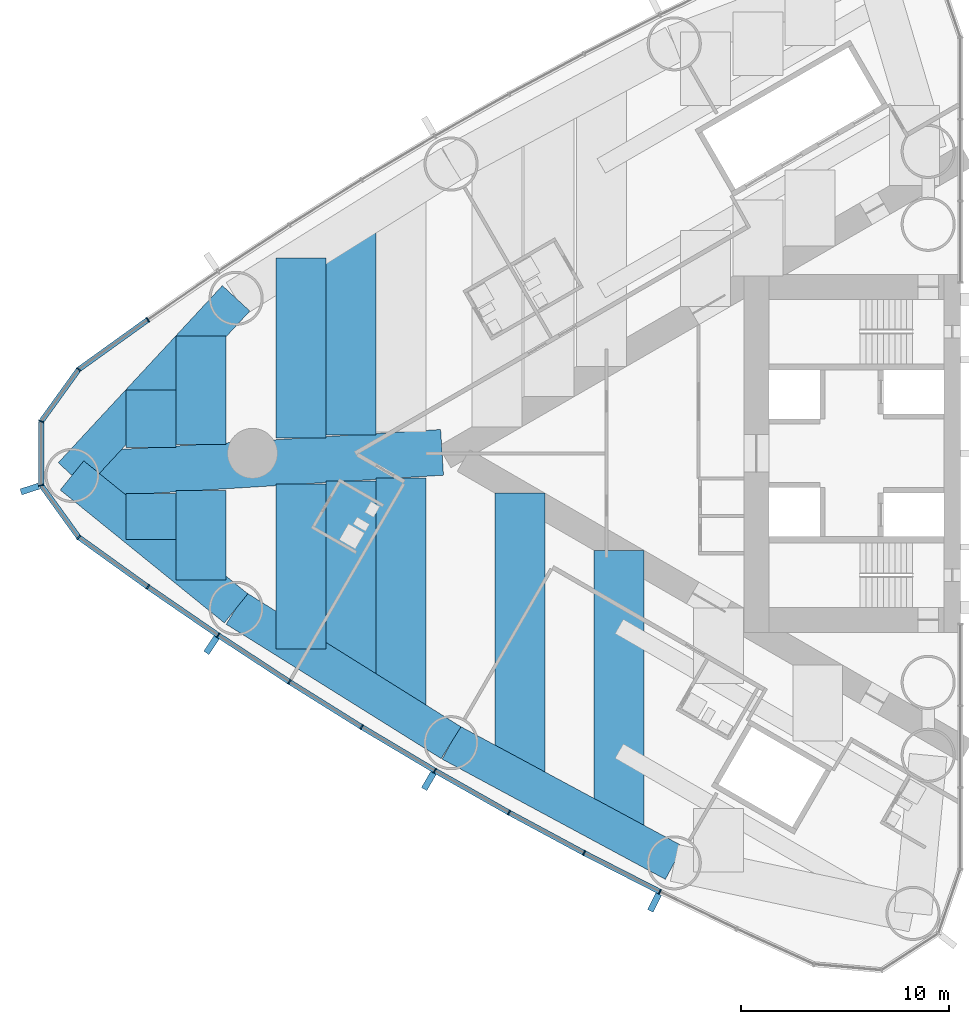
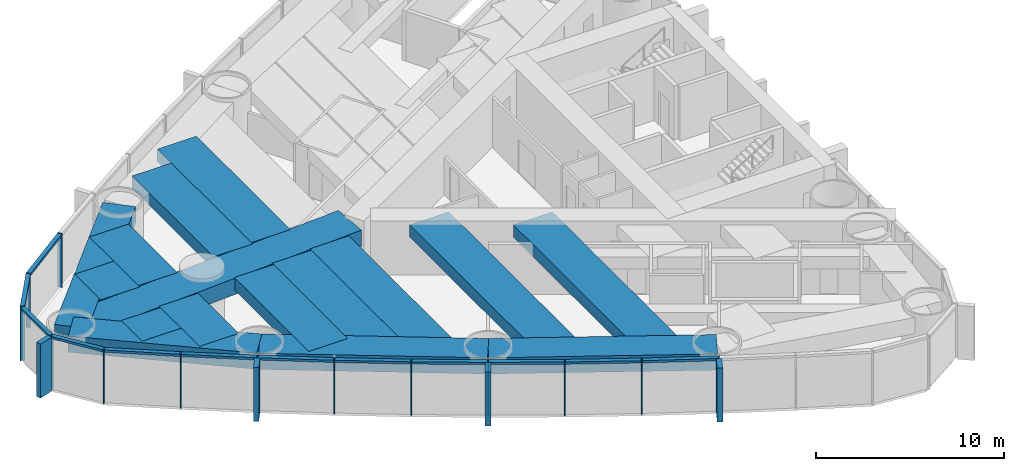
# One storey, part 2 of 18: 29 members, 16 beams, 1 element without a shape of its own.
"""IFC4 building model written with IfcOpenShell, lengths in metres."""

from ifc_helpers import new_model, si_unit, direction, frame, origin, origin_2d, place, context, subcontext, project, spatial, rectangle, extrude, material, material_profile, profile_set, type_object, element, aggregate, save


model = new_model("IFC4")

# Units and contexts
model_context = context("Model", 3, precision=1e-05, world=origin(), true_north=direction((0.0, 1.0)))
body_context = subcontext(model_context, "Body", "Model", "MODEL_VIEW")
ifc_project = project(units=[si_unit("LENGTHUNIT", "METRE"), si_unit("AREAUNIT", "SQUARE_METRE"), si_unit("VOLUMEUNIT", "CUBIC_METRE"), si_unit("PLANEANGLEUNIT", "RADIAN"), si_unit("MASSUNIT", "GRAM", prefix="KILO")], contexts=[model_context])

# Site, building, storey
site_placement = place(None, origin())
site = spatial("IfcSite", under=ifc_project, at=site_placement, CompositionType="ELEMENT")
building_placement = place(site_placement, origin())
building = spatial("IfcBuilding", under=site, at=building_placement, Name="Lancet Gate Hotel", CompositionType="ELEMENT")
storey_placement = place(building_placement, frame((0.0, 0.0, 115.10009765625)))
storey = spatial("IfcBuildingStorey", under=building, at=storey_placement, Name="L30", CompositionType="ELEMENT", Elevation=115.10009765625)

# Curtain wall, members
ifc_material_1 = material(Name="Aluminium curtain wall", Category="aluminium")
curtain_wall_type = type_object("IfcCurtainWallType", Name="Tower unitised curtain wall", PredefinedType="USERDEFINED", material=ifc_material_1)
curtain_wall_placement = place(storey_placement, origin())
curtain_wall = element("IfcCurtainWall", 1, at=curtain_wall_placement, inside=storey, type_object=curtain_wall_type, Name="T1 L30 curtain wall 1", ObjectType="UNITISED CURTAIN WALL", PredefinedType="USERDEFINED")
ifc_material_2 = material(Name="Aluminium mullion", Category="aluminium")
ifc_material_profile_1 = material_profile(ifc_material_2, rectangle(XDim=0.06494140625, YDim=0.25, at=origin_2d()), Name="MULLION 65x250")
ifc_profile_set_1 = profile_set([ifc_material_profile_1], Name="Aluminium mullion")
member_type_1 = type_object("IfcMemberType", Name="Aluminium mullion 65x250", PredefinedType="MULLION", material=ifc_profile_set_1)
member_1_placement = place(storey_placement, frame((-66.5234375, 6.41650390625, 0.0), z_axis=(0.0, 0.0, 1.0), x_axis=(-0.818327221681, -0.574752606132, 0.0)))
member_1 = element("IfcMember", 2, at=member_1_placement, type_object=member_type_1, Name="T1 L30 curtain wall 1 mullion 16", PredefinedType="MULLION", context=body_context, shape_type="SweptSolid", body=[
    extrude(rectangle(XDim=0.06494140625, YDim=0.25, at=origin_2d()), origin(), (0.0, 0.0, 1.0), 3.5),
])
member_2_placement = place(storey_placement, frame((-69.84619140625, 4.02880859375, 0.0), z_axis=(0.0, 0.0, 1.0), x_axis=(-0.723846229576, -0.6899613293, 0.0)))
member_2 = element("IfcMember", 3, at=member_2_placement, type_object=member_type_1, Name="T1 L30 curtain wall 1 mullion 17", PredefinedType="MULLION", context=body_context, shape_type="SweptSolid", body=[
    extrude(rectangle(XDim=0.06494140625, YDim=0.25, at=origin_2d()), origin(), (0.0, 0.0, 1.0), 3.5),
])
member_3_placement = place(storey_placement, frame((-71.64306640625, 1.536376953125, 0.0), z_axis=(0.0, 0.0, 1.0), x_axis=(-0.307269196735, -0.95162263568, 0.0)))
member_3 = element("IfcMember", 4, at=member_3_placement, type_object=member_type_1, Name="T1 L30 curtain wall 1 mullion 18", PredefinedType="MULLION", context=body_context, shape_type="SweptSolid", body=[
    extrude(rectangle(XDim=0.06494140625, YDim=0.25, at=origin_2d()), origin(), (0.0, 0.0, 1.0), 3.5),
])
member_4_placement = place(storey_placement, frame((-71.64306640625, -1.536376953125, 0.0), z_axis=(0.0, 0.0, 1.0), x_axis=(0.307269196735, -0.95162263568, 0.0)))
member_4 = element("IfcMember", 5, at=member_4_placement, type_object=member_type_1, Name="T1 L30 curtain wall 1 mullion 19", PredefinedType="MULLION", context=body_context, shape_type="SweptSolid", body=[
    extrude(rectangle(XDim=0.06494140625, YDim=0.25, at=origin_2d()), origin(), (0.0, 0.0, 1.0), 3.5),
])
member_5_placement = place(storey_placement, frame((-69.84619140625, -4.02880859375, 0.0), z_axis=(0.0, 0.0, 1.0), x_axis=(0.723846229576, -0.6899613293, 0.0)))
member_5 = element("IfcMember", 6, at=member_5_placement, type_object=member_type_1, Name="T1 L30 curtain wall 1 mullion 20", PredefinedType="MULLION", context=body_context, shape_type="SweptSolid", body=[
    extrude(rectangle(XDim=0.06494140625, YDim=0.25, at=origin_2d()), origin(), (0.0, 0.0, 1.0), 3.5),
])
member_6_placement = place(storey_placement, frame((-66.5234375, -6.41650390625, 0.0), z_axis=(0.0, 0.0, 1.0), x_axis=(0.818327221681, -0.574752606132, 0.0)))
member_6 = element("IfcMember", 7, at=member_6_placement, type_object=member_type_1, Name="T1 L30 curtain wall 1 mullion 21", PredefinedType="MULLION", context=body_context, shape_type="SweptSolid", body=[
    extrude(rectangle(XDim=0.06494140625, YDim=0.25, at=origin_2d()), origin(), (0.0, 0.0, 1.0), 3.5),
])
member_7_placement = place(storey_placement, frame((-63.14990234375, -8.73193359375, 0.0), z_axis=(0.0, 0.0, 1.0), x_axis=(0.830510096234, -0.557003572747, 0.0)))
member_7 = element("IfcMember", 8, at=member_7_placement, type_object=member_type_1, Name="T1 L30 curtain wall 1 mullion 22", PredefinedType="MULLION", context=body_context, shape_type="SweptSolid", body=[
    extrude(rectangle(XDim=0.06494140625, YDim=0.25, at=origin_2d()), origin(), (0.0, 0.0, 1.0), 3.5),
])
member_8_placement = place(storey_placement, frame((-59.7275390625, -10.974365234375, 0.0), z_axis=(0.0, 0.0, 1.0), x_axis=(0.84230807036, -0.538996395727, 0.0)))
member_8 = element("IfcMember", 9, at=member_8_placement, type_object=member_type_1, Name="T1 L30 curtain wall 1 mullion 23", PredefinedType="MULLION", context=body_context, shape_type="SweptSolid", body=[
    extrude(rectangle(XDim=0.06494140625, YDim=0.25, at=origin_2d()), origin(), (0.0, 0.0, 1.0), 3.5),
])
member_9_placement = place(storey_placement, frame((-56.257568359375, -13.142333984375, 0.0), z_axis=(0.0, 0.0, 1.0), x_axis=(0.853715676299, -0.52073942048, 0.0)))
member_9 = element("IfcMember", 10, at=member_9_placement, type_object=member_type_1, Name="T1 L30 curtain wall 1 mullion 24", PredefinedType="MULLION", context=body_context, shape_type="SweptSolid", body=[
    extrude(rectangle(XDim=0.06494140625, YDim=0.25, at=origin_2d()), origin(), (0.0, 0.0, 1.0), 3.5),
])
member_10_placement = place(storey_placement, frame((-52.74169921875, -15.2353515625, 0.0), z_axis=(0.0, 0.0, 1.0), x_axis=(0.86472762718, -0.502241108226, 0.0)))
member_10 = element("IfcMember", 11, at=member_10_placement, type_object=member_type_1, Name="T1 L30 curtain wall 1 mullion 25", PredefinedType="MULLION", context=body_context, shape_type="SweptSolid", body=[
    extrude(rectangle(XDim=0.06494140625, YDim=0.25, at=origin_2d()), origin(), (0.0, 0.0, 1.0), 3.5),
])
member_11_placement = place(storey_placement, frame((-49.181640625, -17.252197265625, 0.0), z_axis=(0.0, 0.0, 1.0), x_axis=(0.875338819507, -0.48351003202, 0.0)))
member_11 = element("IfcMember", 12, at=member_11_placement, type_object=member_type_1, Name="T1 L30 curtain wall 1 mullion 26", PredefinedType="MULLION", context=body_context, shape_type="SweptSolid", body=[
    extrude(rectangle(XDim=0.06494140625, YDim=0.25, at=origin_2d()), origin(), (0.0, 0.0, 1.0), 3.5),
])
member_12_placement = place(storey_placement, frame((-45.578857421875, -19.19189453125, 0.0), z_axis=(0.0, 0.0, 1.0), x_axis=(0.885544335517, -0.46455487279, 0.0)))
member_12 = element("IfcMember", 13, at=member_12_placement, type_object=member_type_1, Name="T1 L30 curtain wall 1 mullion 27", PredefinedType="MULLION", context=body_context, shape_type="SweptSolid", body=[
    extrude(rectangle(XDim=0.06494140625, YDim=0.25, at=origin_2d()), origin(), (0.0, 0.0, 1.0), 3.5),
])
member_13_placement = place(storey_placement, frame((-41.935302734375, -21.053466796875, 0.0), z_axis=(0.0, 0.0, 1.0), x_axis=(0.895339445458, -0.445384415317, 0.0)))
member_13 = element("IfcMember", 14, at=member_13_placement, type_object=member_type_1, Name="T1 L30 curtain wall 1 mullion 28", PredefinedType="MULLION", context=body_context, shape_type="SweptSolid", body=[
    extrude(rectangle(XDim=0.06494140625, YDim=0.25, at=origin_2d()), origin(), (0.0, 0.0, 1.0), 3.5),
])
ifc_material_3 = material(Name="Aluminium transom", Category="aluminium")
ifc_material_profile_2 = material_profile(ifc_material_3, rectangle(XDim=0.25, YDim=0.14990234375, at=origin_2d()), Name="TRANSOM 250x150")
ifc_profile_set_2 = profile_set([ifc_material_profile_2], Name="Aluminium transom")
member_type_2 = type_object("IfcMemberType", Name="Aluminium transom 250x150", PredefinedType="USERDEFINED", material=ifc_profile_set_2)
member_14_placement = place(storey_placement, frame((-66.5498046875, 6.3974609375, 3.4248046875), z_axis=(-0.812099770796, -0.583518604908, 0.0), x_axis=(0.583518604908, -0.812099770796, 0.0)))
member_14 = element("IfcMember", 15, at=member_14_placement, type_object=member_type_2, Name="T1 L30 curtain wall 1 transom 16", ObjectType="TRANSOM", PredefinedType="USERDEFINED", context=body_context, shape_type="SweptSolid", body=[
    extrude(rectangle(XDim=0.25, YDim=0.14990234375, at=origin_2d()), origin(), (0.0, 0.0, 1.0), 4.026611328125),
])
member_15_placement = place(storey_placement, frame((-69.865234375, 4.00244140625, 3.4248046875), z_axis=(-0.584787911241, -0.81118622946, 0.0), x_axis=(0.81118622946, -0.584787911241, 0.0)))
member_15 = element("IfcMember", 16, at=member_15_placement, type_object=member_type_2, Name="T1 L30 curtain wall 1 transom 17", ObjectType="TRANSOM", PredefinedType="USERDEFINED", context=body_context, shape_type="SweptSolid", body=[
    extrude(rectangle(XDim=0.25, YDim=0.14990234375, at=origin_2d()), origin(), (0.0, 0.0, 1.0), 3.007568359375),
])
member_16_placement = place(storey_placement, frame((-71.64306640625, 1.50390625, 3.4248046875), z_axis=(0.0, -1.0, 0.0), x_axis=(1.0, 0.0, 0.0)))
member_16 = element("IfcMember", 17, at=member_16_placement, type_object=member_type_2, Name="T1 L30 curtain wall 1 transom 18", ObjectType="TRANSOM", PredefinedType="USERDEFINED", context=body_context, shape_type="SweptSolid", body=[
    extrude(rectangle(XDim=0.25, YDim=0.14990234375, at=origin_2d()), origin(), (0.0, 0.0, 1.0), 3.0078125),
])
member_17_placement = place(storey_placement, frame((-71.6240234375, -1.562744140625, 3.4248046875), z_axis=(0.584787911241, -0.81118622946, 0.0), x_axis=(0.81118622946, 0.584787911241, 0.0)))
member_17 = element("IfcMember", 18, at=member_17_placement, type_object=member_type_2, Name="T1 L30 curtain wall 1 transom 19", ObjectType="TRANSOM", PredefinedType="USERDEFINED", context=body_context, shape_type="SweptSolid", body=[
    extrude(rectangle(XDim=0.25, YDim=0.14990234375, at=origin_2d()), origin(), (0.0, 0.0, 1.0), 3.007568359375),
])
member_18_placement = place(storey_placement, frame((-69.81982421875, -4.0478515625, 3.4248046875), z_axis=(0.812099770796, -0.583518604908, 0.0), x_axis=(0.583518604908, 0.812099770796, 0.0)))
member_18 = element("IfcMember", 19, at=member_18_placement, type_object=member_type_2, Name="T1 L30 curtain wall 1 transom 20", ObjectType="TRANSOM", PredefinedType="USERDEFINED", context=body_context, shape_type="SweptSolid", body=[
    extrude(rectangle(XDim=0.25, YDim=0.14990234375, at=origin_2d()), origin(), (0.0, 0.0, 1.0), 4.026611328125),
])
member_19_placement = place(storey_placement, frame((-66.49658203125, -6.434814453125, 3.4248046875), z_axis=(0.824455665247, -0.565926546508, 0.0), x_axis=(0.565926546508, 0.824455665247, 0.0)))
member_19 = element("IfcMember", 20, at=member_19_placement, type_object=member_type_2, Name="T1 L30 curtain wall 1 transom 21", ObjectType="TRANSOM", PredefinedType="USERDEFINED", context=body_context, shape_type="SweptSolid", body=[
    extrude(rectangle(XDim=0.25, YDim=0.14990234375, at=origin_2d()), origin(), (0.0, 0.0, 1.0), 4.026611328125),
])
member_20_placement = place(storey_placement, frame((-63.122802734375, -8.749755859375, 3.4248046875), z_axis=(0.83645442085, -0.548036496815, 0.0), x_axis=(0.548036496815, 0.83645442085, 0.0)))
member_20 = element("IfcMember", 21, at=member_20_placement, type_object=member_type_2, Name="T1 L30 curtain wall 1 transom 22", ObjectType="TRANSOM", PredefinedType="USERDEFINED", context=body_context, shape_type="SweptSolid", body=[
    extrude(rectangle(XDim=0.25, YDim=0.14990234375, at=origin_2d()), origin(), (0.0, 0.0, 1.0), 4.026611328125),
])
member_21_placement = place(storey_placement, frame((-59.699951171875, -10.991455078125, 3.4248046875), z_axis=(0.848049393821, -0.529917187531, 0.0), x_axis=(0.529917187531, 0.848049393821, 0.0)))
member_21 = element("IfcMember", 22, at=member_21_placement, type_object=member_type_2, Name="T1 L30 curtain wall 1 transom 23", ObjectType="TRANSOM", PredefinedType="USERDEFINED", context=body_context, shape_type="SweptSolid", body=[
    extrude(rectangle(XDim=0.25, YDim=0.14990234375, at=origin_2d()), origin(), (0.0, 0.0, 1.0), 4.026611328125),
])
member_22_placement = place(storey_placement, frame((-56.2294921875, -13.1591796875, 3.4248046875), z_axis=(0.859285270342, -0.511496651186, 0.0), x_axis=(0.511496651186, 0.859285270342, 0.0)))
member_22 = element("IfcMember", 23, at=member_22_placement, type_object=member_type_2, Name="T1 L30 curtain wall 1 transom 24", ObjectType="TRANSOM", PredefinedType="USERDEFINED", context=body_context, shape_type="SweptSolid", body=[
    extrude(rectangle(XDim=0.25, YDim=0.14990234375, at=origin_2d()), origin(), (0.0, 0.0, 1.0), 4.026611328125),
])
member_23_placement = place(storey_placement, frame((-52.71337890625, -15.25146484375, 3.4248046875), z_axis=(0.870091531013, -0.492890178091, 0.0), x_axis=(0.492890178091, 0.870091531013, 0.0)))
member_23 = element("IfcMember", 24, at=member_23_placement, type_object=member_type_2, Name="T1 L30 curtain wall 1 transom 25", ObjectType="TRANSOM", PredefinedType="USERDEFINED", context=body_context, shape_type="SweptSolid", body=[
    extrude(rectangle(XDim=0.25, YDim=0.14990234375, at=origin_2d()), origin(), (0.0, 0.0, 1.0), 4.026611328125),
])
member_24_placement = place(storey_placement, frame((-49.153076171875, -17.267578125, 3.4248046875), z_axis=(0.880498353192, -0.474049206335, 0.0), x_axis=(0.474049206335, 0.880498353192, 0.0)))
member_24 = element("IfcMember", 25, at=member_24_placement, type_object=member_type_2, Name="T1 L30 curtain wall 1 transom 26", ObjectType="TRANSOM", PredefinedType="USERDEFINED", context=body_context, shape_type="SweptSolid", body=[
    extrude(rectangle(XDim=0.25, YDim=0.14990234375, at=origin_2d()), origin(), (0.0, 0.0, 1.0), 4.02685546875),
])
member_25_placement = place(storey_placement, frame((-45.550048828125, -19.20654296875, 3.4248046875), z_axis=(0.89047617483, -0.455029869415, 0.0), x_axis=(0.455029869415, 0.89047617483, 0.0)))
member_25 = element("IfcMember", 26, at=member_25_placement, type_object=member_type_2, Name="T1 L30 curtain wall 1 transom 27", ObjectType="TRANSOM", PredefinedType="USERDEFINED", context=body_context, shape_type="SweptSolid", body=[
    extrude(rectangle(XDim=0.25, YDim=0.14990234375, at=origin_2d()), origin(), (0.0, 0.0, 1.0), 4.026611328125),
])

# Beams
ifc_material_4 = material(Name="Concrete C50/60", Category="concrete")
ifc_material_profile_3 = material_profile(ifc_material_4, rectangle(XDim=1.800048828125, YDim=1.050048828125, at=origin_2d()), Name="RC 1800x1050")
ifc_profile_set_3 = profile_set([ifc_material_profile_3], Name="Concrete C50/60")
beam_type_1 = type_object("IfcBeamType", Name="Edge beam RC 1800x1050", PredefinedType="SPANDREL", material=ifc_profile_set_3)
beam_1_placement = place(storey_placement, frame((-62.28662109375, 7.444580078125, 2.724853515625), z_axis=(-0.679718253794, -0.733473309303, 0.0), x_axis=(0.733473309303, -0.679718253794, 0.0)))
element("IfcBeam", 27, at=beam_1_placement, inside=storey, type_object=beam_type_1, Name="T1 edge beam EB1 L30", PredefinedType="SPANDREL", context=body_context, shape_type="SweptSolid", body=[
    extrude(rectangle(XDim=1.800048828125, YDim=1.050048828125, at=origin_2d()), origin(), (0.0, 0.0, 1.0), 11.594970703125),
])
beam_2_placement = place(storey_placement, frame((-70.16796875, -1.06005859375, 2.724853515625), z_axis=(0.777033503891, -0.629459239213, 0.0), x_axis=(0.629459239213, 0.777033503891, 0.0)))
element("IfcBeam", 28, at=beam_2_placement, inside=storey, type_object=beam_type_1, Name="T1 edge beam EB1 L30", PredefinedType="SPANDREL", context=body_context, shape_type="SweptSolid", body=[
    extrude(rectangle(XDim=1.800048828125, YDim=1.050048828125, at=origin_2d()), origin(), (0.0, 0.0, 1.0), 10.142822265625),
])
for number, where, z_axis, x_axis, name in (
    (29, (-62.28662109375, -7.444580078125, 2.724853515625), (0.848062521637, -0.529896177939, 0.0), (0.529896177939, 0.848062521637, 0.0), "T1 edge beam EB1 L30"),
    (30, (-51.963134765625, -13.89501953125, 2.724853515625), (0.880492350889, -0.474060354835, 0.0), (0.474060354835, 0.880492350889, 0.0), "T1 edge beam EB1 L30"),
):
    element("IfcBeam", number, at=place(storey_placement, frame(where, z_axis=z_axis, x_axis=x_axis)), inside=storey, type_object=beam_type_1, Name=name, PredefinedType="SPANDREL", context=body_context, shape_type="SweptSolid", body=[
        extrude(rectangle(XDim=1.800048828125, YDim=1.050048828125, at=origin_2d()), origin(), (0.0, 0.0, 1.0), 12.173095703125),
    ])

# Member
ifc_material_5 = material(Name="Precast concrete C50/60", Category="concrete")
ifc_material_profile_4 = material_profile(ifc_material_5, rectangle(XDim=0.300048828125, YDim=0.89990234375, at=origin_2d()), Name="FIN 300x900")
ifc_profile_set_4 = profile_set([ifc_material_profile_4], Name="Precast concrete C50/60")
member_type_3 = type_object("IfcMemberType", Name="Exposed concrete fin 300x900", PredefinedType="USERDEFINED", material=ifc_profile_set_4)
member_26_placement = place(storey_placement, frame((-72.190185546875, -1.713134765625, 0.0), z_axis=(0.0, 0.0, 1.0), x_axis=(0.307269196735, -0.95162263568, 0.0)))
member_26 = element("IfcMember", 31, at=member_26_placement, type_object=member_type_3, Name="T1 L30 curtain wall 1 fin 19", ObjectType="FIN", PredefinedType="USERDEFINED", context=body_context, shape_type="SweptSolid", body=[
    extrude(rectangle(XDim=0.300048828125, YDim=0.89990234375, at=origin_2d()), origin(), (0.0, 0.0, 1.0), 3.5),
])

member_27_placement = place(storey_placement, frame((-63.47021484375, -9.20947265625, 0.0), z_axis=(0.0, 0.0, 1.0), x_axis=(0.830510096234, -0.557003572747, 0.0)))
member_27 = element("IfcMember", 32, at=member_27_placement, type_object=member_type_3, Name="T1 L30 curtain wall 1 fin 22", ObjectType="FIN", PredefinedType="USERDEFINED", context=body_context, shape_type="SweptSolid", body=[
    extrude(rectangle(XDim=0.300048828125, YDim=0.89990234375, at=origin_2d()), origin(), (0.0, 0.0, 1.0), 3.5),
])

member_28_placement = place(storey_placement, frame((-53.030517578125, -15.732666015625, 0.0), z_axis=(0.0, 0.0, 1.0), x_axis=(0.86472762718, -0.502241108226, 0.0)))
member_28 = element("IfcMember", 33, at=member_28_placement, type_object=member_type_3, Name="T1 L30 curtain wall 1 fin 25", ObjectType="FIN", PredefinedType="USERDEFINED", context=body_context, shape_type="SweptSolid", body=[
    extrude(rectangle(XDim=0.300048828125, YDim=0.89990234375, at=origin_2d()), origin(), (0.0, 0.0, 1.0), 3.5),
])

member_29_placement = place(storey_placement, frame((-42.19140625, -21.568359375, 0.0), z_axis=(0.0, 0.0, 1.0), x_axis=(0.895339445458, -0.445384415317, 0.0)))
member_29 = element("IfcMember", 34, at=member_29_placement, type_object=member_type_3, Name="T1 L30 curtain wall 1 fin 28", ObjectType="FIN", PredefinedType="USERDEFINED", context=body_context, shape_type="SweptSolid", body=[
    extrude(rectangle(XDim=0.300048828125, YDim=0.89990234375, at=origin_2d()), origin(), (0.0, 0.0, 1.0), 3.5),
])

aggregate(curtain_wall, [member_1, member_2, member_3, member_4, member_26, member_5, member_6, member_7, member_27, member_8, member_9, member_10, member_28, member_11, member_12, member_13, member_29, member_14, member_15, member_16, member_17, member_18, member_19, member_20, member_21, member_22, member_23, member_24, member_25])

# Beams
ifc_material_6 = material(Name="Concrete C50/60", Category="concrete")
ifc_material_profile_5 = material_profile(ifc_material_6, rectangle(XDim=2.39990234375, YDim=0.800048828125, at=origin_2d()), Name="RC 2400x800")
ifc_profile_set_5 = profile_set([ifc_material_profile_5], Name="Concrete C50/60")
beam_type_2 = type_object("IfcBeamType", Name="Floor beam RC 2400x800", PredefinedType="BEAM", material=ifc_profile_set_5)
beam_3_placement = place(storey_placement, frame((-43.891357421875, -4.663330078125, 2.849853515625), z_axis=(0.0, -1.0, 0.0), x_axis=(1.0, 0.0, 0.0)))
element("IfcBeam", 35, at=beam_3_placement, inside=storey, type_object=beam_type_2, Name="T1 floor beam F08N L30", PredefinedType="BEAM", context=body_context, shape_type="SweptSolid", body=[
    extrude(rectangle(XDim=2.39990234375, YDim=0.800048828125, at=origin_2d()), origin(), (0.0, 0.0, 1.0), 13.57763671875),
])
beam_4_placement = place(storey_placement, frame((-48.66015625, -1.909912109375, 2.849853515625), z_axis=(0.0, -1.0, 0.0), x_axis=(1.0, 0.0, 0.0)))
element("IfcBeam", 36, at=beam_4_placement, inside=storey, type_object=beam_type_2, Name="T1 floor beam F11N L30", PredefinedType="BEAM", context=body_context, shape_type="SweptSolid", body=[
    extrude(rectangle(XDim=2.39990234375, YDim=0.800048828125, at=origin_2d()), origin(), (0.0, 0.0, 1.0), 13.763427734375),
])
beam_5_placement = place(storey_placement, frame((-54.3681640625, -1.177001953125, 2.849853515625), z_axis=(0.0, -1.0, 0.0), x_axis=(1.0, 0.0, 0.0)))
element("IfcBeam", 37, at=beam_5_placement, inside=storey, type_object=beam_type_2, Name="T1 floor beam F14N L30", PredefinedType="BEAM", context=body_context, shape_type="SweptSolid", body=[
    extrude(rectangle(XDim=2.39990234375, YDim=0.800048828125, at=origin_2d()), origin(), (0.0, 0.0, 1.0), 11.21533203125),
])
beam_6_placement = place(storey_placement, frame((-56.768310546875, 10.892578125, 2.849853515625), z_axis=(0.0, -1.0, 0.0), x_axis=(1.0, 0.0, 0.0)))
element("IfcBeam", 38, at=beam_6_placement, inside=storey, type_object=beam_type_2, Name="T1 floor beam F15S L30", PredefinedType="BEAM", context=body_context, shape_type="SweptSolid", body=[
    extrude(rectangle(XDim=2.39990234375, YDim=0.800048828125, at=origin_2d()), origin(), (0.0, 0.0, 1.0), 10.014892578125),
])
beam_7_placement = place(storey_placement, frame((-56.768310546875, -1.32666015625, 2.849853515625), z_axis=(0.0, -1.0, 0.0), x_axis=(1.0, 0.0, 0.0)))
element("IfcBeam", 39, at=beam_7_placement, inside=storey, type_object=beam_type_2, Name="T1 floor beam F16N L30", PredefinedType="BEAM", context=body_context, shape_type="SweptSolid", body=[
    extrude(rectangle(XDim=2.39990234375, YDim=0.800048828125, at=origin_2d()), origin(), (0.0, 0.0, 1.0), 9.56591796875),
])
beam_8_placement = place(storey_placement, frame((-59.168212890625, 9.39306640625, 2.849853515625), z_axis=(0.0, -1.0, 0.0), x_axis=(1.0, 0.0, 0.0)))
element("IfcBeam", 40, at=beam_8_placement, inside=storey, type_object=beam_type_2, Name="T1 floor beam F17S L30", PredefinedType="BEAM", context=body_context, shape_type="SweptSolid", body=[
    extrude(rectangle(XDim=2.39990234375, YDim=0.800048828125, at=origin_2d()), origin(), (0.0, 0.0, 1.0), 8.6650390625),
])
beam_9_placement = place(storey_placement, frame((-59.168212890625, -1.476318359375, 2.849853515625), z_axis=(0.0, -1.0, 0.0), x_axis=(1.0, 0.0, 0.0)))
element("IfcBeam", 41, at=beam_9_placement, inside=storey, type_object=beam_type_2, Name="T1 floor beam F18N L30", PredefinedType="BEAM", context=body_context, shape_type="SweptSolid", body=[
    extrude(rectangle(XDim=2.39990234375, YDim=0.800048828125, at=origin_2d()), origin(), (0.0, 0.0, 1.0), 7.916748046875),
])
beam_10_placement = place(storey_placement, frame((-63.96826171875, 5.6298828125, 2.849853515625), z_axis=(0.0, -1.0, 0.0), x_axis=(1.0, 0.0, 0.0)))
element("IfcBeam", 42, at=beam_10_placement, inside=storey, type_object=beam_type_2, Name="T1 floor beam F19S L30", PredefinedType="BEAM", context=body_context, shape_type="SweptSolid", body=[
    extrude(rectangle(XDim=2.39990234375, YDim=0.800048828125, at=origin_2d()), origin(), (0.0, 0.0, 1.0), 5.201171875),
])
beam_11_placement = place(storey_placement, frame((-63.96826171875, -1.775634765625, 2.849853515625), z_axis=(0.0, -1.0, 0.0), x_axis=(1.0, 0.0, 0.0)))
element("IfcBeam", 43, at=beam_11_placement, inside=storey, type_object=beam_type_2, Name="T1 floor beam F20N L30", PredefinedType="BEAM", context=body_context, shape_type="SweptSolid", body=[
    extrude(rectangle(XDim=2.39990234375, YDim=0.800048828125, at=origin_2d()), origin(), (0.0, 0.0, 1.0), 4.306640625),
])
beam_12_placement = place(storey_placement, frame((-66.3681640625, 3.040283203125, 2.849853515625), z_axis=(0.0, -1.0, 0.0), x_axis=(1.0, 0.0, 0.0)))
element("IfcBeam", 44, at=beam_12_placement, inside=storey, type_object=beam_type_2, Name="T1 floor beam F21S L30", PredefinedType="BEAM", context=body_context, shape_type="SweptSolid", body=[
    extrude(rectangle(XDim=2.39990234375, YDim=0.800048828125, at=origin_2d()), origin(), (0.0, 0.0, 1.0), 2.76123046875),
])
beam_13_placement = place(storey_placement, frame((-66.3681640625, -1.92529296875, 2.849853515625), z_axis=(0.0, -1.0, 0.0), x_axis=(1.0, 0.0, 0.0)))
element("IfcBeam", 45, at=beam_13_placement, inside=storey, type_object=beam_type_2, Name="T1 floor beam F22N L30", PredefinedType="BEAM", context=body_context, shape_type="SweptSolid", body=[
    extrude(rectangle(XDim=2.39990234375, YDim=0.800048828125, at=origin_2d()), origin(), (0.0, 0.0, 1.0), 2.212890625),
])
ifc_material_7 = material(Name="Concrete C50/60", Category="concrete")
ifc_material_profile_6 = material_profile(ifc_material_7, rectangle(XDim=2.199951171875, YDim=1.050048828125, at=origin_2d()), Name="RC 2200x1050")
ifc_profile_set_6 = profile_set([ifc_material_profile_6], Name="Concrete C50/60")
beam_type_3 = type_object("IfcBeamType", Name="Radial floor beam RC 2200x1050", PredefinedType="BEAM", material=ifc_profile_set_6)
beam_14_placement = place(storey_placement, frame((-70.16796875, -1.06005859375, 2.724853515625), z_axis=(0.998061637313, 0.062233175423, 0.0), x_axis=(-0.062233175423, 0.998061637313, 0.0)))
element("IfcBeam", 46, at=beam_14_placement, inside=storey, type_object=beam_type_3, Name="T1 radial beam CA L30", PredefinedType="BEAM", context=body_context, shape_type="SweptSolid", body=[
    extrude(rectangle(XDim=2.199951171875, YDim=1.050048828125, at=origin_2d()), origin(), (0.0, 0.0, 1.0), 17.806396484375),
])

save(model, "model.ifc")
